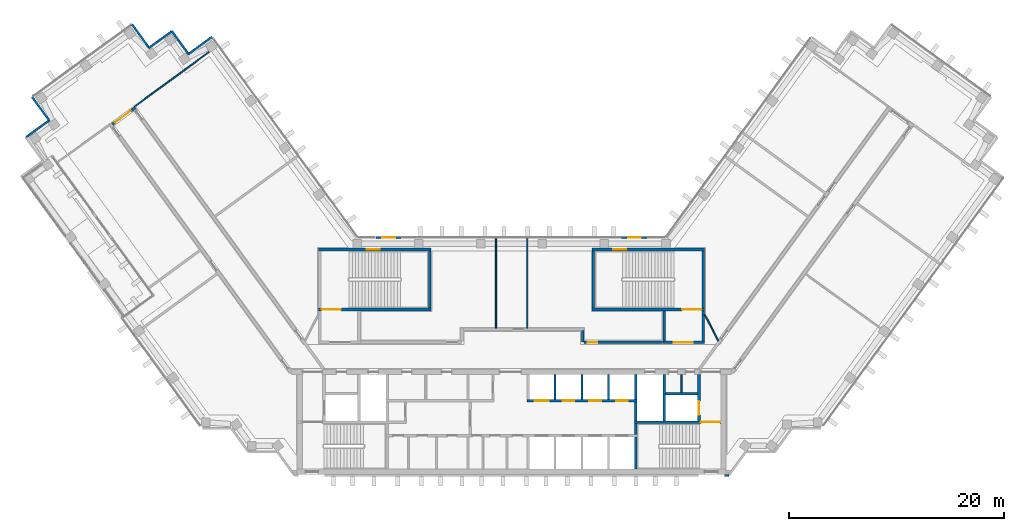
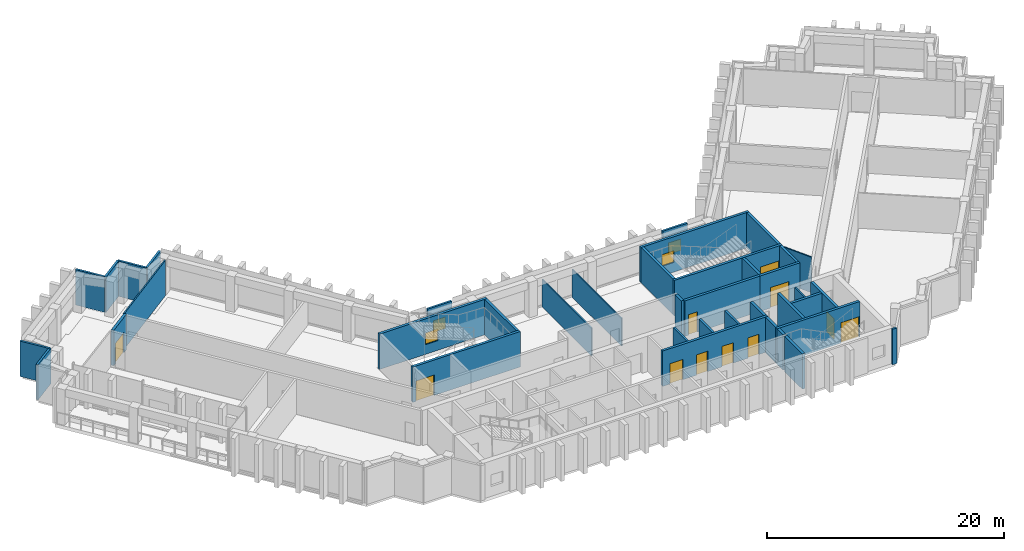
# One storey, part 8 of 12: 39 walls, 11 doors, 4 windows, 15 openings.
"""IFC4 building model written with IfcOpenShell, lengths in metres."""

from ifc_helpers import new_model, si_unit, direction, frame, frame_2d, origin, place, context, subcontext, project, spatial, rectangle, extrude, material, layer, layer_set, type_object, element, fill, save


model = new_model("IFC4")

# Units and contexts
model_context = context("Model", 3, precision=1e-05, world=origin(), true_north=direction((0.0, 1.0)))
body_context = subcontext(model_context, "Body", "Model", "MODEL_VIEW")
ifc_project = project(units=[si_unit("LENGTHUNIT", "METRE"), si_unit("AREAUNIT", "SQUARE_METRE"), si_unit("VOLUMEUNIT", "CUBIC_METRE"), si_unit("PLANEANGLEUNIT", "RADIAN"), si_unit("MASSUNIT", "GRAM", prefix="KILO")], contexts=[model_context])

# Site, building, storey
site_placement = place(None, origin())
site = spatial("IfcSite", under=ifc_project, at=site_placement, CompositionType="ELEMENT")
building_placement = place(site_placement, origin())
building = spatial("IfcBuilding", under=site, at=building_placement, Name="Quipu Civic Tower", CompositionType="ELEMENT")
storey_placement = place(building_placement, frame((0.0, 0.0, 152.0)))
storey = spatial("IfcBuildingStorey", under=building, at=storey_placement, Name="L35", CompositionType="ELEMENT", Elevation=152.0)

# Walls
ifc_material_1 = material(Name="Concrete C70/85", Category="concrete")
ifc_layer_1 = layer(ifc_material_1, 0.25)
ifc_layer_set_1 = layer_set([ifc_layer_1], Name="Concrete C70/85")
wall_type_1 = type_object("IfcWallType", Name="Core wall 250", PredefinedType="SHEAR", material=ifc_layer_set_1)
wall_1_placement = place(storey_placement, frame((11.574951171875, -10.5, 0.0), z_axis=(0.0, 0.0, 1.0), x_axis=(0.0, 1.0, 0.0)))
element("IfcWall", 1, at=wall_1_placement, inside=storey, type_object=wall_type_1, Name="Core wall", PredefinedType="SHEAR", context=body_context, shape_type="SweptSolid", body=[
    extrude(rectangle(XDim=3.0, YDim=0.25, at=frame_2d((1.5, 0.0))), origin(), (0.0, 0.0, 1.0), 3.64990234375),
])
wall_2_placement = place(storey_placement, frame((11.574951171875, -7.25, 0.0), z_axis=(0.0, 0.0, 1.0), x_axis=(0.0, 1.0, 0.0)))
element("IfcWall", 2, at=wall_2_placement, inside=storey, type_object=wall_type_1, Name="Core wall", PredefinedType="SHEAR", context=body_context, shape_type="SweptSolid", body=[
    extrude(rectangle(XDim=1.0, YDim=0.25, at=frame_2d((0.5, 0.0))), origin(), (0.0, 0.0, 1.0), 3.64990234375),
])

# Wall, opening, door
wall_3_placement = place(storey_placement, frame((19.5, -6.125, 0.0), z_axis=(0.0, 0.0, 1.0), x_axis=(-1.0, 0.0, 0.0)))
wall_3 = element("IfcWall", 3, at=wall_3_placement, inside=storey, type_object=wall_type_1, Name="Core wall", PredefinedType="SHEAR", context=body_context, shape_type="SweptSolid", body=[
    extrude(rectangle(XDim=8.050048828125, YDim=0.25, at=frame_2d((4.02490234375, 0.0))), origin(), (0.0, 0.0, 1.0), 3.64990234375),
])
opening_1_placement = place(wall_3_placement, frame((0.050048828125, 0.0, 0.0)))
opening_1 = element("IfcOpeningElement", 4, at=opening_1_placement, cuts=wall_3, Name="Opening CD-08", PredefinedType="OPENING", context=body_context, shape_type="SweptSolid", body=[
    extrude(rectangle(XDim=1.800048828125, YDim=2.10009765625, at=frame_2d((0.89990234375, 1.050048828125))), frame((0.0, 0.135009765625, 0.0), z_axis=(0.0, -1.0, 0.0), x_axis=(1.0, 0.0, 0.0)), (0.0, 0.0, 1.0), 0.27001953125),
])
ifc_material_2 = material(Name="Fire rated steel door", Category="steel")
door_type_1 = type_object("IfcDoorType", Name="Fire door FD90 double 1800 x 2100", OperationType="NOTDEFINED", PredefinedType="DOOR", material=ifc_material_2)
door_1_placement = place(opening_1_placement, origin())
door_1 = element("IfcDoor", 5, at=door_1_placement, inside=storey, type_object=door_type_1, Name="Door", OperationType="DOUBLE_DOOR_SINGLE_SWING", OverallHeight=2.10009765625, OverallWidth=1.800048828125, PredefinedType="DOOR", context=body_context, shape_type="SweptSolid", body=[
    extrude(rectangle(XDim=1.800048828125, YDim=2.10009765625, at=frame_2d((0.89990234375, 1.050048828125))), frame((0.0, 0.02490234375, 0.0), z_axis=(0.0, -1.0, 0.0), x_axis=(1.0, 0.0, 0.0)), (0.0, 0.0, 1.0), 0.050048828125),
])
fill(opening_1, door_1)

# Walls
wall_4_placement = place(storey_placement, frame((11.574951171875, -6.0, 0.0), z_axis=(0.0, 0.0, 1.0), x_axis=(0.0, 1.0, 0.0)))
element("IfcWall", 6, at=wall_4_placement, inside=storey, type_object=wall_type_1, Name="Core wall", PredefinedType="SHEAR", context=body_context, shape_type="SweptSolid", body=[
    extrude(rectangle(XDim=1.75, YDim=0.25, at=frame_2d((0.875, 0.0))), origin(), (0.0, 0.0, 1.0), 3.64990234375),
])
wall_5_placement = place(storey_placement, frame((14.22509765625, -6.0, 0.0), z_axis=(0.0, 0.0, 1.0), x_axis=(0.0, 1.0, 0.0)))
element("IfcWall", 7, at=wall_5_placement, inside=storey, type_object=wall_type_1, Name="Core wall", PredefinedType="SHEAR", context=body_context, shape_type="SweptSolid", body=[
    extrude(rectangle(XDim=4.300048828125, YDim=0.25, at=frame_2d((2.14990234375, 0.0))), origin(), (0.0, 0.0, 1.0), 3.64990234375),
])

# Wall, opening, door
wall_6_placement = place(storey_placement, frame((17.47509765625, -6.0, 0.0), z_axis=(0.0, 0.0, 1.0), x_axis=(0.0, 1.0, 0.0)))
wall_6 = element("IfcWall", 8, at=wall_6_placement, inside=storey, type_object=wall_type_1, Name="Core wall", PredefinedType="SHEAR", context=body_context, shape_type="SweptSolid", body=[
    extrude(rectangle(XDim=4.300048828125, YDim=0.25, at=frame_2d((2.14990234375, 0.0))), origin(), (0.0, 0.0, 1.0), 3.64990234375),
])
opening_2_placement = place(wall_6_placement, frame((0.550048828125, 0.0, 0.0)))
opening_2 = element("IfcOpeningElement", 9, at=opening_2_placement, cuts=wall_6, Name="Opening LD-FF2", PredefinedType="OPENING", context=body_context, shape_type="SweptSolid", body=[
    extrude(rectangle(XDim=1.300048828125, YDim=2.10009765625, at=frame_2d((0.64990234375, 1.050048828125))), frame((0.0, 0.135009765625, 0.0), z_axis=(0.0, -1.0, 0.0), x_axis=(1.0, 0.0, 0.0)), (0.0, 0.0, 1.0), 0.27001953125),
])
ifc_material_3 = material(Name="Stainless steel", Category="steel")
door_type_2 = type_object("IfcDoorType", Name="Lift landing door 1300 x 2100", OperationType="DOUBLE_DOOR_SLIDING", PredefinedType="DOOR", material=ifc_material_3)
door_2_placement = place(opening_2_placement, origin())
door_2 = element("IfcDoor", 10, at=door_2_placement, inside=storey, type_object=door_type_2, Name="Landing door FF2", OperationType="DOUBLE_DOOR_SLIDING", OverallHeight=2.10009765625, OverallWidth=1.300048828125, PredefinedType="DOOR", context=body_context, shape_type="SweptSolid", body=[
    extrude(rectangle(XDim=1.300048828125, YDim=2.10009765625, at=frame_2d((0.64990234375, 1.050048828125))), frame((0.0, 0.02490234375, 0.0), z_axis=(0.0, -1.0, 0.0), x_axis=(1.0, 0.0, 0.0)), (0.0, 0.0, 1.0), 0.050048828125),
])
fill(opening_2, door_2)

# Wall, openings, doors
wall_7_placement = place(storey_placement, frame((1.449951171875, -4.125, 0.0), z_axis=(0.0, 0.0, 1.0), x_axis=(1.0, 0.0, 0.0)))
wall_7 = element("IfcWall", 11, at=wall_7_placement, inside=storey, type_object=wall_type_1, Name="Core wall", PredefinedType="SHEAR", context=body_context, shape_type="SweptSolid", body=[
    extrude(rectangle(XDim=10.25, YDim=0.25, at=frame_2d((5.125, 0.0))), origin(), (0.0, 0.0, 1.0), 3.64990234375),
])
opening_3_placement = place(wall_7_placement, frame((0.699951171875, 0.0, 0.0)))
opening_3 = element("IfcOpeningElement", 12, at=opening_3_placement, cuts=wall_7, Name="Opening LD-FF3", PredefinedType="OPENING", context=body_context, shape_type="SweptSolid", body=[
    extrude(rectangle(XDim=1.300048828125, YDim=2.10009765625, at=frame_2d((0.64990234375, 1.050048828125))), frame((0.0, 0.135009765625, 0.0), z_axis=(0.0, -1.0, 0.0), x_axis=(1.0, 0.0, 0.0)), (0.0, 0.0, 1.0), 0.27001953125),
])
opening_4_placement = place(wall_7_placement, frame((3.300048828125, 0.0, 0.0)))
opening_4 = element("IfcOpeningElement", 13, at=opening_4_placement, cuts=wall_7, Name="Opening LD-ML5", PredefinedType="OPENING", context=body_context, shape_type="SweptSolid", body=[
    extrude(rectangle(XDim=1.10009765625, YDim=2.10009765625, at=frame_2d((0.550048828125, 1.050048828125))), frame((0.0, 0.135009765625, 0.0), z_axis=(0.0, -1.0, 0.0), x_axis=(1.0, 0.0, 0.0)), (0.0, 0.0, 1.0), 0.27001953125),
])
opening_5_placement = place(wall_7_placement, frame((5.800048828125, 0.0, 0.0)))
opening_5 = element("IfcOpeningElement", 14, at=opening_5_placement, cuts=wall_7, Name="Opening LD-ML6", PredefinedType="OPENING", context=body_context, shape_type="SweptSolid", body=[
    extrude(rectangle(XDim=1.10009765625, YDim=2.10009765625, at=frame_2d((0.550048828125, 1.050048828125))), frame((0.0, 0.135009765625, 0.0), z_axis=(0.0, -1.0, 0.0), x_axis=(1.0, 0.0, 0.0)), (0.0, 0.0, 1.0), 0.27001953125),
])
opening_6_placement = place(wall_7_placement, frame((8.300048828125, 0.0, 0.0)))
opening_6 = element("IfcOpeningElement", 15, at=opening_6_placement, cuts=wall_7, Name="Opening LD-ML7", PredefinedType="OPENING", context=body_context, shape_type="SweptSolid", body=[
    extrude(rectangle(XDim=1.10009765625, YDim=2.10009765625, at=frame_2d((0.550048828125, 1.050048828125))), frame((0.0, 0.135009765625, 0.0), z_axis=(0.0, -1.0, 0.0), x_axis=(1.0, 0.0, 0.0)), (0.0, 0.0, 1.0), 0.27001953125),
])
ifc_material_4 = material(Name="Stainless steel", Category="steel")
door_type_3 = type_object("IfcDoorType", Name="Lift landing door 1100 x 2100", OperationType="DOUBLE_DOOR_SLIDING", PredefinedType="DOOR", material=ifc_material_4)
door_3_placement = place(opening_4_placement, origin())
door_3 = element("IfcDoor", 16, at=door_3_placement, inside=storey, type_object=door_type_3, Name="Landing door ML5", OperationType="DOUBLE_DOOR_SLIDING", OverallHeight=2.10009765625, OverallWidth=1.10009765625, PredefinedType="DOOR", context=body_context, shape_type="SweptSolid", body=[
    extrude(rectangle(XDim=1.10009765625, YDim=2.10009765625, at=frame_2d((0.550048828125, 1.050048828125))), frame((0.0, 0.02490234375, 0.0), z_axis=(0.0, -1.0, 0.0), x_axis=(1.0, 0.0, 0.0)), (0.0, 0.0, 1.0), 0.050048828125),
])
fill(opening_4, door_3)
door_4_placement = place(opening_5_placement, origin())
door_4 = element("IfcDoor", 17, at=door_4_placement, inside=storey, type_object=door_type_3, Name="Landing door ML6", OperationType="DOUBLE_DOOR_SLIDING", OverallHeight=2.10009765625, OverallWidth=1.10009765625, PredefinedType="DOOR", context=body_context, shape_type="SweptSolid", body=[
    extrude(rectangle(XDim=1.10009765625, YDim=2.10009765625, at=frame_2d((0.550048828125, 1.050048828125))), frame((0.0, 0.02490234375, 0.0), z_axis=(0.0, -1.0, 0.0), x_axis=(1.0, 0.0, 0.0)), (0.0, 0.0, 1.0), 0.050048828125),
])
fill(opening_5, door_4)
door_5_placement = place(opening_6_placement, origin())
door_5 = element("IfcDoor", 18, at=door_5_placement, inside=storey, type_object=door_type_3, Name="Landing door ML7", OperationType="DOUBLE_DOOR_SLIDING", OverallHeight=2.10009765625, OverallWidth=1.10009765625, PredefinedType="DOOR", context=body_context, shape_type="SweptSolid", body=[
    extrude(rectangle(XDim=1.10009765625, YDim=2.10009765625, at=frame_2d((0.550048828125, 1.050048828125))), frame((0.0, 0.02490234375, 0.0), z_axis=(0.0, -1.0, 0.0), x_axis=(1.0, 0.0, 0.0)), (0.0, 0.0, 1.0), 0.050048828125),
])
fill(opening_6, door_5)
door_6_placement = place(opening_3_placement, origin())
door_6 = element("IfcDoor", 19, at=door_6_placement, inside=storey, type_object=door_type_2, Name="Landing door FF3", OperationType="DOUBLE_DOOR_SLIDING", OverallHeight=2.10009765625, OverallWidth=1.300048828125, PredefinedType="DOOR", context=body_context, shape_type="SweptSolid", body=[
    extrude(rectangle(XDim=1.300048828125, YDim=2.10009765625, at=frame_2d((0.64990234375, 1.050048828125))), frame((0.0, 0.02490234375, 0.0), z_axis=(0.0, -1.0, 0.0), x_axis=(1.0, 0.0, 0.0)), (0.0, 0.0, 1.0), 0.050048828125),
])
fill(opening_3, door_6)

# Walls
wall_8_placement = place(storey_placement, frame((11.574951171875, -4.0, 0.0), z_axis=(0.0, 0.0, 1.0), x_axis=(0.0, 1.0, 0.0)))
element("IfcWall", 20, at=wall_8_placement, inside=storey, type_object=wall_type_1, Name="Core wall", PredefinedType="SHEAR", context=body_context, shape_type="SweptSolid", body=[
    extrude(rectangle(XDim=2.300048828125, YDim=0.25, at=frame_2d((1.14990234375, 0.0))), origin(), (0.0, 0.0, 1.0), 3.64990234375),
])
wall_9_placement = place(storey_placement, frame((14.35009765625, -3.47509765625, 0.0), z_axis=(0.0, 0.0, 1.0), x_axis=(1.0, 0.0, 0.0)))
element("IfcWall", 21, at=wall_9_placement, inside=storey, type_object=wall_type_1, Name="Core wall", PredefinedType="SHEAR", context=body_context, shape_type="SweptSolid", body=[
    extrude(rectangle(XDim=3.0, YDim=0.25, at=frame_2d((1.5, 0.0))), origin(), (0.0, 0.0, 1.0), 3.64990234375),
])

# Wall, opening, door
wall_10_placement = place(storey_placement, frame((-18.0, 4.375, 0.0), z_axis=(0.0, 0.0, 1.0), x_axis=(1.0, 0.0, 0.0)))
wall_10 = element("IfcWall", 22, at=wall_10_placement, inside=storey, type_object=wall_type_1, Name="Core wall", PredefinedType="SHEAR", context=body_context, shape_type="SweptSolid", body=[
    extrude(rectangle(XDim=10.5, YDim=0.25, at=frame_2d((5.25, 0.0))), origin(), (0.0, 0.0, 1.0), 3.64990234375),
])
opening_7_placement = place(wall_10_placement, frame((0.300048828125, 0.0, 0.0)))
opening_7 = element("IfcOpeningElement", 23, at=opening_7_placement, cuts=wall_10, Name="Opening CD-23", PredefinedType="OPENING", context=body_context, shape_type="SweptSolid", body=[
    extrude(rectangle(XDim=1.800048828125, YDim=2.10009765625, at=frame_2d((0.89990234375, 1.050048828125))), frame((0.0, 0.135009765625, 0.0), z_axis=(0.0, -1.0, 0.0), x_axis=(1.0, 0.0, 0.0)), (0.0, 0.0, 1.0), 0.27001953125),
])
door_7_placement = place(opening_7_placement, origin())
door_7 = element("IfcDoor", 24, at=door_7_placement, inside=storey, type_object=door_type_1, Name="Door", OperationType="DOUBLE_DOOR_SINGLE_SWING", OverallHeight=2.10009765625, OverallWidth=1.800048828125, PredefinedType="DOOR", context=body_context, shape_type="SweptSolid", body=[
    extrude(rectangle(XDim=1.800048828125, YDim=2.10009765625, at=frame_2d((0.89990234375, 1.050048828125))), frame((0.0, 0.02490234375, 0.0), z_axis=(0.0, -1.0, 0.0), x_axis=(1.0, 0.0, 0.0)), (0.0, 0.0, 1.0), 0.050048828125),
])
fill(opening_7, door_7)

# Wall
wall_11_placement = place(storey_placement, frame((-7.625, 4.5, 0.0), z_axis=(0.0, 0.0, 1.0), x_axis=(0.0, 1.0, 0.0)))
element("IfcWall", 25, at=wall_11_placement, inside=storey, type_object=wall_type_1, Name="Core wall", PredefinedType="SHEAR", context=body_context, shape_type="SweptSolid", body=[
    extrude(rectangle(XDim=5.35009765625, YDim=0.25, at=frame_2d((2.675048828125, 0.0))), origin(), (0.0, 0.0, 1.0), 3.64990234375),
])

# Wall, opening, window
wall_12_placement = place(storey_placement, frame((-18.0, 9.97509765625, 0.0), z_axis=(0.0, 0.0, 1.0), x_axis=(1.0, 0.0, 0.0)))
wall_12 = element("IfcWall", 26, at=wall_12_placement, inside=storey, type_object=wall_type_1, Name="Core wall", PredefinedType="SHEAR", context=body_context, shape_type="SweptSolid", body=[
    extrude(rectangle(XDim=10.5, YDim=0.25, at=frame_2d((5.25, 0.0))), origin(), (0.0, 0.0, 1.0), 3.64990234375),
])
opening_8_placement = place(wall_12_placement, frame((4.5, 0.0, 1.0)))
opening_8 = element("IfcOpeningElement", 27, at=opening_8_placement, cuts=wall_12, Name="Opening SV-3", PredefinedType="OPENING", context=body_context, shape_type="SweptSolid", body=[
    extrude(rectangle(XDim=1.199951171875, YDim=1.199951171875, at=frame_2d((0.60009765625, 0.60009765625))), frame((0.0, 0.135009765625, 0.0), z_axis=(0.0, -1.0, 0.0), x_axis=(1.0, 0.0, 0.0)), (0.0, 0.0, 1.0), 0.27001953125),
])
ifc_material_5 = material(Name="Aluminium louvre", Category="aluminium")
window_type_1 = type_object("IfcWindowType", Name="Stair ventilation louvre 1200 x 1200", PartitioningType="SINGLE_PANEL", PredefinedType="WINDOW", material=ifc_material_5)
window_1_placement = place(opening_8_placement, origin())
window_1 = element("IfcWindow", 28, at=window_1_placement, inside=storey, type_object=window_type_1, Name="Stair ventilation opening", OverallHeight=1.199951171875, OverallWidth=1.199951171875, PartitioningType="SINGLE_PANEL", PredefinedType="WINDOW", context=body_context, shape_type="SweptSolid", body=[
    extrude(rectangle(XDim=1.199951171875, YDim=1.199951171875, at=frame_2d((0.60009765625, 0.60009765625))), frame((0.0, 0.030029296875, 0.0), z_axis=(0.0, -1.0, 0.0), x_axis=(1.0, 0.0, 0.0)), (0.0, 0.0, 1.0), 0.06005859375),
])
fill(opening_8, window_1)

# Wall, opening, door
wall_13_placement = place(storey_placement, frame((14.10009765625, 1.324951171875, 0.0), z_axis=(0.0, 0.0, 1.0), x_axis=(1.0, 0.0, 0.0)))
wall_13 = element("IfcWall", 29, at=wall_13_placement, inside=storey, type_object=wall_type_1, Name="Core wall", PredefinedType="SHEAR", context=body_context, shape_type="SweptSolid", body=[
    extrude(rectangle(XDim=3.89990234375, YDim=0.25, at=frame_2d((1.949951171875, 0.0))), origin(), (0.0, 0.0, 1.0), 3.64990234375),
])
opening_9_placement = place(wall_13_placement, frame((1.0, 0.0, 0.0)))
opening_9 = element("IfcOpeningElement", 30, at=opening_9_placement, cuts=wall_13, Name="Opening CD-24", PredefinedType="OPENING", context=body_context, shape_type="SweptSolid", body=[
    extrude(rectangle(XDim=1.800048828125, YDim=2.10009765625, at=frame_2d((0.89990234375, 1.050048828125))), frame((0.0, 0.135009765625, 0.0), z_axis=(0.0, -1.0, 0.0), x_axis=(1.0, 0.0, 0.0)), (0.0, 0.0, 1.0), 0.27001953125),
])
door_8_placement = place(opening_9_placement, origin())
door_8 = element("IfcDoor", 31, at=door_8_placement, inside=storey, type_object=door_type_1, Name="Lobby door", OperationType="DOUBLE_DOOR_SINGLE_SWING", OverallHeight=2.10009765625, OverallWidth=1.800048828125, PredefinedType="DOOR", context=body_context, shape_type="SweptSolid", body=[
    extrude(rectangle(XDim=1.800048828125, YDim=2.10009765625, at=frame_2d((0.89990234375, 1.050048828125))), frame((0.0, 0.02490234375, 0.0), z_axis=(0.0, -1.0, 0.0), x_axis=(1.0, 0.0, 0.0)), (0.0, 0.0, 1.0), 0.050048828125),
])
fill(opening_9, door_8)

# Walls
for number, where, z_axis, x_axis, name in (
    (32, (14.22509765625, 1.449951171875, 0.0), (0.0, 0.0, 1.0), (0.0, 1.0, 0.0), "Core wall"),
    (33, (17.875, 1.449951171875, 0.0), (0.0, 0.0, 1.0), (0.0, 1.0, 0.0), "Core wall"),
):
    element("IfcWall", number, at=place(storey_placement, frame(where, z_axis=z_axis, x_axis=x_axis)), inside=storey, type_object=wall_type_1, Name=name, PredefinedType="SHEAR", context=body_context, shape_type="SweptSolid", body=[
        extrude(rectangle(XDim=2.800048828125, YDim=0.25, at=frame_2d((1.39990234375, 0.0))), origin(), (0.0, 0.0, 1.0), 3.64990234375),
    ])

# Wall, opening, door
wall_14_placement = place(storey_placement, frame((7.5, 4.375, 0.0), z_axis=(0.0, 0.0, 1.0), x_axis=(1.0, 0.0, 0.0)))
wall_14 = element("IfcWall", 34, at=wall_14_placement, inside=storey, type_object=wall_type_1, Name="Core wall", PredefinedType="SHEAR", context=body_context, shape_type="SweptSolid", body=[
    extrude(rectangle(XDim=10.5, YDim=0.25, at=frame_2d((5.25, 0.0))), origin(), (0.0, 0.0, 1.0), 3.64990234375),
])
opening_10_placement = place(wall_14_placement, frame((8.39990234375, 0.0, 0.0)))
opening_10 = element("IfcOpeningElement", 35, at=opening_10_placement, cuts=wall_14, Name="Opening CD-25", PredefinedType="OPENING", context=body_context, shape_type="SweptSolid", body=[
    extrude(rectangle(XDim=1.800048828125, YDim=2.10009765625, at=frame_2d((0.89990234375, 1.050048828125))), frame((0.0, 0.135009765625, 0.0), z_axis=(0.0, -1.0, 0.0), x_axis=(1.0, 0.0, 0.0)), (0.0, 0.0, 1.0), 0.27001953125),
])
door_9_placement = place(opening_10_placement, origin())
door_9 = element("IfcDoor", 36, at=door_9_placement, inside=storey, type_object=door_type_1, Name="Door", OperationType="DOUBLE_DOOR_SINGLE_SWING", OverallHeight=2.10009765625, OverallWidth=1.800048828125, PredefinedType="DOOR", context=body_context, shape_type="SweptSolid", body=[
    extrude(rectangle(XDim=1.800048828125, YDim=2.10009765625, at=frame_2d((0.89990234375, 1.050048828125))), frame((0.0, 0.02490234375, 0.0), z_axis=(0.0, -1.0, 0.0), x_axis=(1.0, 0.0, 0.0)), (0.0, 0.0, 1.0), 0.050048828125),
])
fill(opening_10, door_9)

# Walls
for number, where, z_axis, x_axis, name in (
    (37, (7.625, 4.5, 0.0), (0.0, 0.0, 1.0), (0.0, 1.0, 0.0), "Core wall"),
    (38, (17.875, 4.5, 0.0), (0.0, 0.0, 1.0), (0.0, 1.0, 0.0), "Core wall"),
):
    element("IfcWall", number, at=place(storey_placement, frame(where, z_axis=z_axis, x_axis=x_axis)), inside=storey, type_object=wall_type_1, Name=name, PredefinedType="SHEAR", context=body_context, shape_type="SweptSolid", body=[
        extrude(rectangle(XDim=5.35009765625, YDim=0.25, at=frame_2d((2.675048828125, 0.0))), origin(), (0.0, 0.0, 1.0), 3.64990234375),
    ])

# Wall, opening, window
wall_15_placement = place(storey_placement, frame((7.5, 9.97509765625, 0.0), z_axis=(0.0, 0.0, 1.0), x_axis=(1.0, 0.0, 0.0)))
wall_15 = element("IfcWall", 39, at=wall_15_placement, inside=storey, type_object=wall_type_1, Name="Core wall", PredefinedType="SHEAR", context=body_context, shape_type="SweptSolid", body=[
    extrude(rectangle(XDim=10.5, YDim=0.25, at=frame_2d((5.25, 0.0))), origin(), (0.0, 0.0, 1.0), 3.64990234375),
])
opening_11_placement = place(wall_15_placement, frame((2.0, 0.0, 1.0)))
opening_11 = element("IfcOpeningElement", 40, at=opening_11_placement, cuts=wall_15, Name="Opening SV-4", PredefinedType="OPENING", context=body_context, shape_type="SweptSolid", body=[
    extrude(rectangle(XDim=1.199951171875, YDim=1.199951171875, at=frame_2d((0.60009765625, 0.60009765625))), frame((0.0, 0.135009765625, 0.0), z_axis=(0.0, -1.0, 0.0), x_axis=(1.0, 0.0, 0.0)), (0.0, 0.0, 1.0), 0.27001953125),
])
window_2_placement = place(opening_11_placement, origin())
window_2 = element("IfcWindow", 41, at=window_2_placement, inside=storey, type_object=window_type_1, Name="Stair ventilation opening", OverallHeight=1.199951171875, OverallWidth=1.199951171875, PartitioningType="SINGLE_PANEL", PredefinedType="WINDOW", context=body_context, shape_type="SweptSolid", body=[
    extrude(rectangle(XDim=1.199951171875, YDim=1.199951171875, at=frame_2d((0.60009765625, 0.60009765625))), frame((0.0, 0.030029296875, 0.0), z_axis=(0.0, -1.0, 0.0), x_axis=(1.0, 0.0, 0.0)), (0.0, 0.0, 1.0), 0.06005859375),
])
fill(opening_11, window_2)

# Wall, opening, door
ifc_material_6 = material(Name="Concrete C50/60", Category="concrete")
ifc_layer_2 = layer(ifc_material_6, 0.25)
ifc_layer_set_2 = layer_set([ifc_layer_2], Name="Concrete C50/60")
wall_type_2 = type_object("IfcWallType", Name="Corridor wall 250 concrete", PredefinedType="SOLIDWALL", material=ifc_layer_set_2)
wall_16_placement = place(storey_placement, frame((-37.20849609375, 21.643798828125, 0.0), z_axis=(0.0, 0.0, 1.0), x_axis=(0.809038743598, 0.587755315891, 0.0)))
wall_16 = element("IfcWall", 42, at=wall_16_placement, inside=storey, type_object=wall_type_2, Name="Corridor wall C05", PredefinedType="SOLIDWALL", context=body_context, shape_type="SweptSolid", body=[
    extrude(rectangle(XDim=2.650146484375, YDim=0.25, at=frame_2d((1.3251953125, 0.0))), origin(), (0.0, 0.0, 1.0), 3.64990234375),
])
opening_12_placement = place(wall_16_placement, frame((0.2998046875, 0.0, 0.0)))
opening_12 = element("IfcOpeningElement", 43, at=opening_12_placement, cuts=wall_16, Name="Opening D016", PredefinedType="OPENING", context=body_context, shape_type="SweptSolid", body=[
    extrude(rectangle(XDim=1.800048828125, YDim=2.10009765625, at=frame_2d((0.89990234375, 1.050048828125))), frame((0.0, 0.135009765625, 0.0), z_axis=(0.0, -1.0, 0.0), x_axis=(1.0, 0.0, 0.0)), (0.0, 0.0, 1.0), 0.27001953125),
])
ifc_material_7 = material(Name="Fire rated timber door set with metal frame", Category="wood")
door_type_4 = type_object("IfcDoorType", Name="Double door 1800 x 2100 FD60", OperationType="DOUBLE_DOOR_SINGLE_SWING", PredefinedType="DOOR", material=ifc_material_7)
door_10_placement = place(opening_12_placement, origin())
door_10 = element("IfcDoor", 44, at=door_10_placement, inside=storey, type_object=door_type_4, Name="Door D016", OperationType="DOUBLE_DOOR_SINGLE_SWING", OverallHeight=2.10009765625, OverallWidth=1.800048828125, PredefinedType="DOOR", context=body_context, shape_type="SweptSolid", body=[
    extrude(rectangle(XDim=1.800048828125, YDim=2.10009765625, at=frame_2d((0.89990234375, 1.050048828125))), frame((0.0, 0.02490234375, 0.0), z_axis=(0.0, -1.0, 0.0), x_axis=(1.0, 0.0, 0.0)), (0.0, 0.0, 1.0), 0.050048828125),
])
fill(opening_12, door_10)

# Wall
wall_17_placement = place(storey_placement, frame((6.625, 2.39990234375, 0.0), z_axis=(0.0, 0.0, 1.0), x_axis=(0.0, -1.0, 0.0)))
element("IfcWall", 45, at=wall_17_placement, inside=storey, type_object=wall_type_2, Name="Corridor wall C10", PredefinedType="SOLIDWALL", context=body_context, shape_type="SweptSolid", body=[
    extrude(rectangle(XDim=1.041259765625, YDim=0.25, at=frame_2d((0.5205078125, 0.0))), origin(), (0.0, 0.0, 1.0), 3.64990234375),
])

# Wall, opening, door
wall_18_placement = place(storey_placement, frame((6.753662109375, 1.324951171875, 0.0), z_axis=(0.0, 0.0, 1.0), x_axis=(1.0, 0.0, 0.0)))
wall_18 = element("IfcWall", 46, at=wall_18_placement, inside=storey, type_object=wall_type_2, Name="Corridor wall C11", PredefinedType="SOLIDWALL", context=body_context, shape_type="SweptSolid", body=[
    extrude(rectangle(XDim=7.33642578125, YDim=0.25, at=frame_2d((3.668212890625, 0.0))), origin(), (0.0, 0.0, 1.0), 3.64990234375),
])
opening_13_placement = place(wall_18_placement, frame((0.34619140625, 0.0, 0.0)))
opening_13 = element("IfcOpeningElement", 47, at=opening_13_placement, cuts=wall_18, Name="Opening D010", PredefinedType="OPENING", context=body_context, shape_type="SweptSolid", body=[
    extrude(rectangle(XDim=0.89990234375, YDim=2.10009765625, at=frame_2d((0.449951171875, 1.050048828125))), frame((0.0, 0.135009765625, 0.0), z_axis=(0.0, -1.0, 0.0), x_axis=(1.0, 0.0, 0.0)), (0.0, 0.0, 1.0), 0.27001953125),
])
ifc_material_8 = material(Name="Fire rated timber door set with metal frame", Category="wood")
door_type_5 = type_object("IfcDoorType", Name="Single door 900 x 2100 FD60", OperationType="NOTDEFINED", PredefinedType="DOOR", material=ifc_material_8)
door_11_placement = place(opening_13_placement, origin())
door_11 = element("IfcDoor", 48, at=door_11_placement, inside=storey, type_object=door_type_5, Name="Door D010", OperationType="SINGLE_SWING_LEFT", OverallHeight=2.10009765625, OverallWidth=0.89990234375, PredefinedType="DOOR", context=body_context, shape_type="SweptSolid", body=[
    extrude(rectangle(XDim=0.89990234375, YDim=2.10009765625, at=frame_2d((0.449951171875, 1.050048828125))), frame((0.0, 0.02490234375, 0.0), z_axis=(0.0, -1.0, 0.0), x_axis=(1.0, 0.0, 0.0)), (0.0, 0.0, 1.0), 0.050048828125),
])
fill(opening_13, door_11)

# Walls
ifc_material_9 = material(Name="Gypsum plasterboard on light gauge framing")
ifc_layer_3 = layer(ifc_material_9, 0.1201171875)
ifc_layer_set_3 = layer_set([ifc_layer_3], Name="Gypsum plasterboard on light gauge framing")
wall_type_3 = type_object("IfcWallType", Name="Partition 120 plasterboard", PredefinedType="PARTITIONING", material=ifc_layer_set_3)
wall_19_placement = place(storey_placement, frame((-35.15380859375, 23.290771484375, 0.0), z_axis=(0.0, 0.0, 1.0), x_axis=(0.806987196605, 0.590568932908, 0.0)))
element("IfcWall", 49, at=wall_19_placement, inside=storey, type_object=wall_type_3, Name="Partition P01", PredefinedType="PARTITIONING", context=body_context, shape_type="SweptSolid", body=[
    extrude(rectangle(XDim=8.619873046875, YDim=0.1201171875, at=frame_2d((4.31005859375, 0.0))), origin(), (0.0, 0.0, 1.0), 3.64990234375),
])
for number, where, z_axis, x_axis, name in (
    (50, (-1.458984375, 2.64990234375, 0.0), (0.0, 0.0, 1.0), (0.0, 1.0, 0.0), "Partition P07"),
    (51, (1.458984375, 11.0, 0.0), (0.0, 0.0, 1.0), (0.0, -1.0, 0.0), "Partition P13"),
):
    element("IfcWall", number, at=place(storey_placement, frame(where, z_axis=z_axis, x_axis=x_axis)), inside=storey, type_object=wall_type_3, Name=name, PredefinedType="PARTITIONING", context=body_context, shape_type="SweptSolid", body=[
        extrude(rectangle(XDim=8.35009765625, YDim=0.1201171875, at=frame_2d((4.175048828125, 0.0))), origin(), (0.0, 0.0, 1.0), 2.85009765625),
    ])
wall_20_placement = place(storey_placement, frame((18.0, 3.925048828125, 0.0), z_axis=(0.0, 0.0, 1.0), x_axis=(0.453950796792, -0.891026752736, 0.0)))
element("IfcWall", 52, at=wall_20_placement, inside=storey, type_object=wall_type_3, Name="Partition P14", PredefinedType="PARTITIONING", context=body_context, shape_type="SweptSolid", body=[
    extrude(rectangle(XDim=2.77783203125, YDim=0.1201171875, at=frame_2d((1.388916015625, 0.0))), origin(), (0.0, 0.0, 1.0), 3.64990234375),
])
ifc_material_10 = material(Name="Gypsum board partition")
ifc_layer_4 = layer(ifc_material_10, 0.14990234375)
ifc_layer_set_4 = layer_set([ifc_layer_4], Name="Gypsum board partition")
wall_type_4 = type_object("IfcWallType", Name="Partition 150", PredefinedType="PARTITIONING", material=ifc_layer_set_4)
wall_21_placement = place(storey_placement, frame((15.85009765625, -3.35009765625, 0.0), z_axis=(0.0, 0.0, 1.0), x_axis=(0.0, 1.0, 0.0)))
element("IfcWall", 53, at=wall_21_placement, inside=storey, type_object=wall_type_4, Name="Partition", PredefinedType="PARTITIONING", context=body_context, shape_type="SweptSolid", body=[
    extrude(rectangle(XDim=1.650146484375, YDim=0.14990234375, at=frame_2d((0.8251953125, 0.0))), origin(), (0.0, 0.0, 1.0), 3.64990234375),
])
ifc_material_11 = material(Name="Precast concrete C40/50", Category="concrete")
wall_type_5 = type_object("IfcWallType", Name="Precast cladding wall", PredefinedType="SOLIDWALL", material=ifc_material_11)
wall_22_placement = place(storey_placement, frame((19.85009765625, -11.087890625, 0.0), z_axis=(0.0, 0.0, 1.0), x_axis=(1.0, 0.0, 0.0)))
element("IfcWall", 54, at=wall_22_placement, inside=storey, type_object=wall_type_5, Name="Precast cladding wall L35 P08", PredefinedType="SOLIDWALL", context=body_context, shape_type="SweptSolid", body=[
    extrude(rectangle(XDim=0.40576171875, YDim=0.199951171875, at=frame_2d((0.202880859375, 0.0))), origin(), (0.0, 0.0, 1.0), 3.64990234375),
])

# Wall, opening, window
wall_23_placement = place(storey_placement, frame((12.655029296875, 11.10009765625, 0.0), z_axis=(0.0, 0.0, 1.0), x_axis=(-1.0, 0.0, 0.0)))
wall_23 = element("IfcWall", 55, at=wall_23_placement, inside=storey, type_object=wall_type_5, Name="Vent surround SF-L33-2", PredefinedType="SOLIDWALL", context=body_context, shape_type="SweptSolid", body=[
    extrude(rectangle(XDim=2.3916015625, YDim=0.199951171875, at=frame_2d((1.19580078125, 0.0))), origin(), (0.0, 0.0, 1.0), 3.64990234375),
])
opening_14_placement = place(wall_23_placement, frame((0.595703125, 0.0, 1.0)))
opening_14 = element("IfcOpeningElement", 56, at=opening_14_placement, cuts=wall_23, Name="Opening SF-L33-2", PredefinedType="OPENING", context=body_context, shape_type="SweptSolid", body=[
    extrude(rectangle(XDim=1.199951171875, YDim=1.199951171875, at=frame_2d((0.60009765625, 0.60009765625))), frame((0.0, 0.10986328125, 0.0), z_axis=(0.0, -1.0, 0.0), x_axis=(1.0, 0.0, 0.0)), (0.0, 0.0, 1.0), 0.219970703125),
])
ifc_material_12 = material(Name="Anodised aluminium louvre", Category="aluminium")
window_type_2 = type_object("IfcWindowType", Name="Stair vent louvre window P3", PartitioningType="SINGLE_PANEL", PredefinedType="WINDOW", material=ifc_material_12)
window_3_placement = place(opening_14_placement, origin())
window_3 = element("IfcWindow", 57, at=window_3_placement, inside=storey, type_object=window_type_2, Name="Stair vent louvre SF-L33-2", OverallHeight=1.199951171875, OverallWidth=1.199951171875, PartitioningType="SINGLE_PANEL", PredefinedType="WINDOW", context=body_context, shape_type="SweptSolid", body=[
    extrude(rectangle(XDim=1.199951171875, YDim=1.199951171875, at=frame_2d((0.60009765625, 0.60009765625))), frame((0.0, 0.030029296875, 0.0), z_axis=(0.0, -1.0, 0.0), x_axis=(1.0, 0.0, 0.0)), (0.0, 0.0, 1.0), 0.06005859375),
])
fill(opening_14, window_3)

wall_24_placement = place(storey_placement, frame((-10.263427734375, 11.10009765625, 0.0), z_axis=(0.0, 0.0, 1.0), x_axis=(-1.0, 0.0, 0.0)))
wall_24 = element("IfcWall", 58, at=wall_24_placement, inside=storey, type_object=wall_type_5, Name="Vent surround SF-L33-1", PredefinedType="SOLIDWALL", context=body_context, shape_type="SweptSolid", body=[
    extrude(rectangle(XDim=2.3916015625, YDim=0.199951171875, at=frame_2d((1.19580078125, 0.0))), origin(), (0.0, 0.0, 1.0), 3.64990234375),
])
opening_15_placement = place(wall_24_placement, frame((0.595703125, 0.0, 1.0)))
opening_15 = element("IfcOpeningElement", 59, at=opening_15_placement, cuts=wall_24, Name="Opening SF-L33-1", PredefinedType="OPENING", context=body_context, shape_type="SweptSolid", body=[
    extrude(rectangle(XDim=1.199951171875, YDim=1.199951171875, at=frame_2d((0.60009765625, 0.60009765625))), frame((0.0, 0.10986328125, 0.0), z_axis=(0.0, -1.0, 0.0), x_axis=(1.0, 0.0, 0.0)), (0.0, 0.0, 1.0), 0.219970703125),
])
window_4_placement = place(opening_15_placement, origin())
window_4 = element("IfcWindow", 60, at=window_4_placement, inside=storey, type_object=window_type_2, Name="Stair vent louvre SF-L33-1", OverallHeight=1.199951171875, OverallWidth=1.199951171875, PartitioningType="SINGLE_PANEL", PredefinedType="WINDOW", context=body_context, shape_type="SweptSolid", body=[
    extrude(rectangle(XDim=1.199951171875, YDim=1.199951171875, at=frame_2d((0.60009765625, 0.60009765625))), frame((0.0, 0.030029296875, 0.0), z_axis=(0.0, -1.0, 0.0), x_axis=(1.0, 0.0, 0.0)), (0.0, 0.0, 1.0), 0.06005859375),
])
fill(opening_15, window_4)

# Walls
for number, where, z_axis, x_axis, name in (
    (61, (-27.92138671875, 29.787109375, 0.0), (0.0, 0.0, 1.0), (-0.809033161865, -0.587762999008, 0.0), "Precast cladding wall L35 P30"),
    (62, (-30.08349609375, 28.149169921875, 0.0), (0.0, 0.0, 1.0), (-0.587762999008, 0.809033161865, 0.0), "Precast cladding wall L35 P31"),
    (63, (-31.653564453125, 30.330810546875, 0.0), (0.0, 0.0, 1.0), (-0.809033161865, -0.587762999008, 0.0), "Precast cladding wall L35 P32"),
    (64, (-33.80078125, 28.785888671875, 0.0), (0.0, 0.0, 1.0), (-0.587762999008, 0.809033161865, 0.0), "Precast cladding wall L35 P33"),
    (65, (-44.699462890625, 24.20458984375, 0.0), (0.0, 0.0, 1.0), (0.587762999008, -0.809033161865, 0.0), "Precast cladding wall L35 P35"),
    (66, (-43.060791015625, 22.04296875, 0.0), (0.0, 0.0, 1.0), (-0.809033161865, -0.587762999008, 0.0), "Precast cladding wall L35 8"),
):
    element("IfcWall", number, at=place(storey_placement, frame(where, z_axis=z_axis, x_axis=x_axis)), inside=storey, type_object=wall_type_5, Name=name, PredefinedType="SOLIDWALL", context=body_context, shape_type="SweptSolid", body=[
        extrude(rectangle(XDim=2.699951171875, YDim=0.199951171875, at=frame_2d((1.35009765625, 0.0))), origin(), (0.0, 0.0, 1.0), 3.64990234375),
    ])
ifc_material_13 = material(Name="Concrete C40/50", Category="concrete")
ifc_layer_5 = layer(ifc_material_13, 0.199951171875)
ifc_layer_set_5 = layer_set([ifc_layer_5], Name="Concrete C40/50")
wall_type_6 = type_object("IfcWallType", Name="Shaft wall 200", PredefinedType="SOLIDWALL", material=ifc_layer_set_5)
for number, where, z_axis, x_axis, name in (
    (67, (4.050048828125, -4.0, 0.0), (0.0, 0.0, 1.0), (0.0, 1.0, 0.0), "Shaft wall"),
    (68, (6.550048828125, -4.0, 0.0), (0.0, 0.0, 1.0), (0.0, 1.0, 0.0), "Shaft wall"),
    (69, (9.050048828125, -4.0, 0.0), (0.0, 0.0, 1.0), (0.0, 1.0, 0.0), "Shaft wall"),
):
    element("IfcWall", number, at=place(storey_placement, frame(where, z_axis=z_axis, x_axis=x_axis)), inside=storey, type_object=wall_type_6, Name=name, PredefinedType="SOLIDWALL", context=body_context, shape_type="SweptSolid", body=[
        extrude(rectangle(XDim=2.300048828125, YDim=0.199951171875, at=frame_2d((1.14990234375, 0.0))), origin(), (0.0, 0.0, 1.0), 3.64990234375),
    ])

save(model, "model.ifc")
